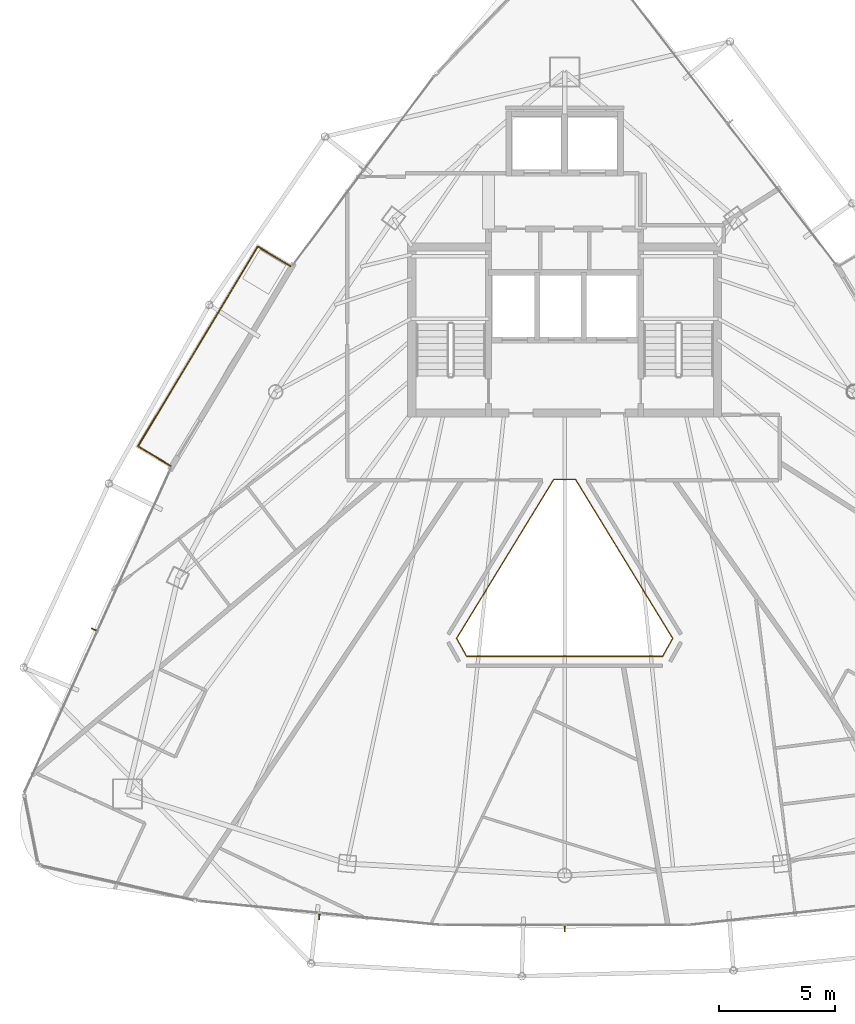
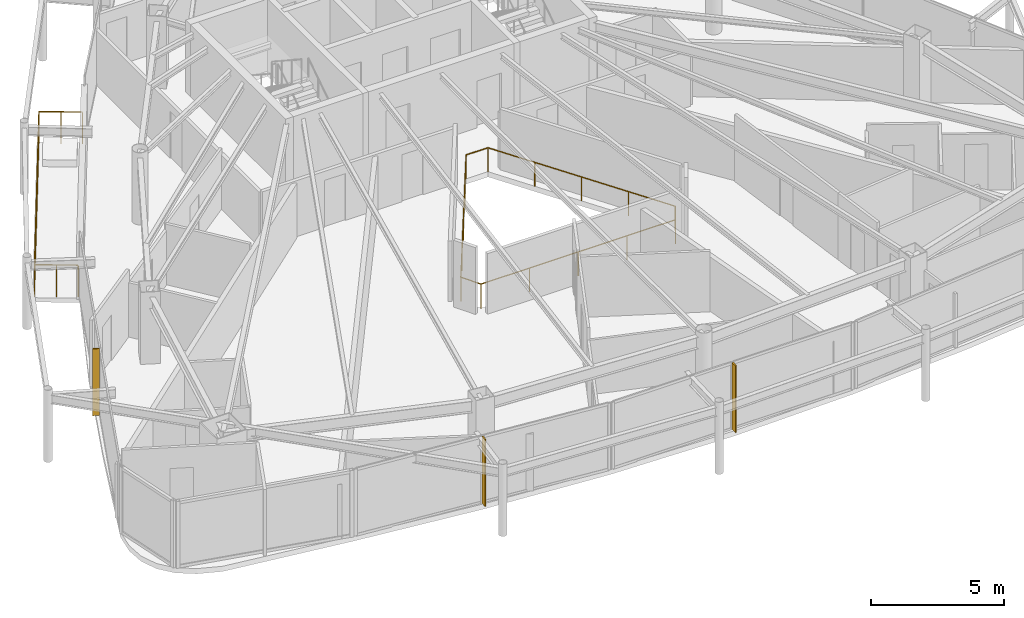
# One storey, part 31 of 33: 3 shading devices, 2 railings.
"""IFC4 building model written with IfcOpenShell, lengths in metres."""

from ifc_helpers import new_model, si_unit, direction, frame, origin, origin_2d, place, context, subcontext, project, spatial, rectangle, circle, extrude, material, layer, layer_set, type_object, element, save


model = new_model("IFC4")

# Units and contexts
model_context = context("Model", 3, precision=1e-05, world=origin(), true_north=direction((0.0, 1.0)))
body_context = subcontext(model_context, "Body", "Model", "MODEL_VIEW")
ifc_project = project(units=[si_unit("LENGTHUNIT", "METRE"), si_unit("AREAUNIT", "SQUARE_METRE"), si_unit("VOLUMEUNIT", "CUBIC_METRE"), si_unit("PLANEANGLEUNIT", "RADIAN"), si_unit("MASSUNIT", "GRAM", prefix="KILO")], contexts=[model_context])

# Site, building, storey
site_placement = place(None, origin())
site = spatial("IfcSite", under=ifc_project, at=site_placement, CompositionType="ELEMENT")
building_placement = place(site_placement, origin())
building = spatial("IfcBuilding", under=site, at=building_placement, Name="Orvanel Arch Residences", CompositionType="ELEMENT")
storey_placement = place(building_placement, frame((0.0, 0.0, 209.60009765625)))
storey = spatial("IfcBuildingStorey", under=building, at=storey_placement, Name="L59", CompositionType="ELEMENT", Elevation=209.60009765625)

# Shading devices
ifc_material = material(Name="Bronze-anodised aluminium AA6063-T6", Category="aluminium")
ifc_layer = layer(ifc_material, 0.050048828125)
ifc_layer_set = layer_set([ifc_layer], Name="Bronze-anodised aluminium AA6063-T6")
shading_device_type = type_object("IfcShadingDeviceType", Name="FIN-BRZ-260", PredefinedType="USERDEFINED", material=ifc_layer_set)
for number, where, z_axis, x_axis, name in (
    (1, (12.764892578125, 17.419921875, -0.000244140625), (0.0, 0.0, 1.0), (-0.911403276635, 0.411514358605, 0.0), "L59 Anodised Bronze Mullion FIN 01"),
    (2, (22.450927734375, 5.074951171875, -0.000244140625), (0.0, 0.0, 1.0), (-0.099319749744, -0.995055569961, 0.0), "L59 Anodised Bronze Mullion FIN 01"),
    (3, (33.0, 4.552978515625, -0.000244140625), (0.0, 0.0, 1.0), (0.0, -1.0, 0.0), "L59 Anodised Bronze Mullion FIN 01"),
):
    element("IfcShadingDevice", number, at=place(storey_placement, frame(where, z_axis=z_axis, x_axis=x_axis)), inside=storey, type_object=shading_device_type, Name=name, ObjectType="FIN", PredefinedType="USERDEFINED", context=body_context, shape_type="SweptSolid", body=[
        extrude(rectangle(XDim=0.260009765625, YDim=0.050048828125, at=origin_2d()), origin(), (0.0, 0.0, 1.0), 3.06005859375),
    ])

# Railings
railing_type_1 = type_object("IfcRailingType", Name="RL-ATR-1120", PredefinedType="BALUSTRADE", material=ifc_material)
railing_1_placement = place(storey_placement, frame((33.470947265625, 23.867919921875, 0.0)))
element("IfcRailing", 4, at=railing_1_placement, inside=storey, type_object=railing_type_1, Name="L59 Atrium Void Protective Balustrade", PredefinedType="BALUSTRADE", context=body_context, shape_type="SweptSolid", body=[
    extrude(circle(Radius=0.02392578125, at=origin_2d()), frame((-0.00146484375, 0.0, 1.09619140625), z_axis=(-1.0, 0.0, 0.0), x_axis=(0.0, -1.0, 0.0)), (0.0, 0.0, 1.0), 0.93896484375),
    extrude(circle(Radius=0.02392578125, at=origin_2d()), frame((-0.942626953125, -0.001220703125, 1.09619140625), z_axis=(-0.521495669835, -0.853253928408, 0.0), x_axis=(0.853253928408, -0.521495669835, 0.0)), (0.0, 0.0, 1.0), 7.999267578125),
    extrude(circle(Radius=0.02392578125, at=origin_2d()), frame((-5.1142578125, -6.8291015625, 1.09619140625), z_axis=(0.488552824191, -0.872534319082, 0.0), x_axis=(0.872534319082, 0.488552824191, 0.0)), (0.0, 0.0, 1.0), 0.87939453125),
    extrude(circle(Radius=0.02392578125, at=origin_2d()), frame((-4.682373046875, -7.597900390625, 1.09619140625), z_axis=(1.0, 0.0, 0.0), x_axis=(0.0, 1.0, 0.0)), (0.0, 0.0, 1.0), 8.4228515625),
    extrude(circle(Radius=0.02392578125, at=origin_2d()), frame((3.74267578125, -7.5966796875, 1.09619140625), z_axis=(0.488552824191, 0.872534319082, 0.0), x_axis=(-0.872534319082, 0.488552824191, 0.0)), (0.0, 0.0, 1.0), 0.87939453125),
    extrude(circle(Radius=0.02392578125, at=origin_2d()), frame((4.17236328125, -6.82666015625, 1.09619140625), z_axis=(-0.521495669835, 0.853253928408, 0.0), x_axis=(-0.853253928408, -0.521495669835, 0.0)), (0.0, 0.0, 1.0), 7.999267578125),
    extrude(circle(Radius=0.02099609375, at=origin_2d()), origin(), (0.0, 0.0, 1.0), 1.070068359375),
    extrude(circle(Radius=0.02099609375, at=origin_2d()), frame((-0.94189453125, 0.0, 0.0)), (0.0, 0.0, 1.0), 1.070068359375),
    extrude(circle(Radius=0.02099609375, at=origin_2d()), frame((-1.985107421875, -1.70703125, 0.0)), (0.0, 0.0, 1.0), 1.070068359375),
    extrude(circle(Radius=0.02099609375, at=origin_2d()), frame((-3.0283203125, -3.4140625, 0.0)), (0.0, 0.0, 1.0), 1.070068359375),
    extrude(circle(Radius=0.02099609375, at=origin_2d()), frame((-4.07177734375, -5.120849609375, 0.0)), (0.0, 0.0, 1.0), 1.070068359375),
    extrude(circle(Radius=0.02099609375, at=origin_2d()), frame((-5.114990234375, -6.827880859375, 0.0)), (0.0, 0.0, 1.0), 1.070068359375),
    extrude(circle(Radius=0.02099609375, at=origin_2d()), frame((-4.683837890625, -7.597900390625, 0.0)), (0.0, 0.0, 1.0), 1.070068359375),
    extrude(circle(Radius=0.02099609375, at=origin_2d()), frame((-2.577392578125, -7.597900390625, 0.0)), (0.0, 0.0, 1.0), 1.070068359375),
    extrude(circle(Radius=0.02099609375, at=origin_2d()), frame((-0.470947265625, -7.597900390625, 0.0)), (0.0, 0.0, 1.0), 1.070068359375),
    extrude(circle(Radius=0.02099609375, at=origin_2d()), frame((1.635498046875, -7.597900390625, 0.0)), (0.0, 0.0, 1.0), 1.070068359375),
    extrude(circle(Radius=0.02099609375, at=origin_2d()), frame((3.741943359375, -7.597900390625, 0.0)), (0.0, 0.0, 1.0), 1.070068359375),
    extrude(circle(Radius=0.02099609375, at=origin_2d()), frame((4.173095703125, -6.827880859375, 0.0)), (0.0, 0.0, 1.0), 1.070068359375),
    extrude(circle(Radius=0.02099609375, at=origin_2d()), frame((3.1298828125, -5.120849609375, 0.0)), (0.0, 0.0, 1.0), 1.070068359375),
    extrude(circle(Radius=0.02099609375, at=origin_2d()), frame((2.08642578125, -3.4140625, 0.0)), (0.0, 0.0, 1.0), 1.070068359375),
    extrude(circle(Radius=0.02099609375, at=origin_2d()), frame((1.043212890625, -1.70703125, 0.0)), (0.0, 0.0, 1.0), 1.070068359375),
])
railing_type_2 = type_object("IfcRailingType", Name="RL-BAL-1480", PredefinedType="BALUSTRADE", material=ifc_material)
railing_2_placement = place(storey_placement, frame((21.2099609375, 33.047119140625, 0.0)))
element("IfcRailing", 5, at=railing_2_placement, inside=storey, type_object=railing_type_2, Name="L59 Balcony Perimeter Guardrail Face 1", PredefinedType="BALUSTRADE", context=body_context, shape_type="SweptSolid", body=[
    extrude(circle(Radius=0.02392578125, at=origin_2d()), frame((-0.001220703125, 0.000732421875, 1.4560546875), z_axis=(-0.857387817543, 0.514670895164, 0.0), x_axis=(-0.514670895164, -0.857387817543, 0.0)), (0.0, 0.0, 1.0), 1.636962890625),
    extrude(circle(Radius=0.02392578125, at=origin_2d()), frame((-1.40673828125, 0.8427734375, 1.4560546875), z_axis=(-0.514467079564, -0.857510130579, 0.0), x_axis=(0.857510130579, -0.514467079564, 0.0)), (0.0, 0.0, 1.0), 10.013427734375),
    extrude(circle(Radius=0.02392578125, at=origin_2d()), frame((-6.557861328125, -7.745849609375, 1.4560546875), z_axis=(0.857584807373, -0.514342588322, 0.0), x_axis=(0.514342588322, 0.857584807373, 0.0)), (0.0, 0.0, 1.0), 1.637939453125),
    extrude(circle(Radius=0.02099609375, at=origin_2d()), origin(), (0.0, 0.0, 1.0), 1.429931640625),
    extrude(circle(Radius=0.02099609375, at=origin_2d()), frame((-0.703125, 0.421875, 0.0)), (0.0, 0.0, 1.0), 1.429931640625),
    extrude(circle(Radius=0.02099609375, at=origin_2d()), frame((-1.406005859375, 0.843994140625, 0.0)), (0.0, 0.0, 1.0), 1.429931640625),
    extrude(circle(Radius=0.02099609375, at=origin_2d()), frame((-1.978515625, -0.1103515625, 0.0)), (0.0, 0.0, 1.0), 1.429931640625),
    extrude(circle(Radius=0.02099609375, at=origin_2d()), frame((-2.551025390625, -1.064697265625, 0.0)), (0.0, 0.0, 1.0), 1.429931640625),
    extrude(circle(Radius=0.02099609375, at=origin_2d()), frame((-3.123779296875, -2.01904296875, 0.0)), (0.0, 0.0, 1.0), 1.429931640625),
    extrude(circle(Radius=0.02099609375, at=origin_2d()), frame((-3.6962890625, -2.973388671875, 0.0)), (0.0, 0.0, 1.0), 1.429931640625),
    extrude(circle(Radius=0.02099609375, at=origin_2d()), frame((-4.268798828125, -3.927734375, 0.0)), (0.0, 0.0, 1.0), 1.429931640625),
    extrude(circle(Radius=0.02099609375, at=origin_2d()), frame((-4.84130859375, -4.882080078125, 0.0)), (0.0, 0.0, 1.0), 1.429931640625),
    extrude(circle(Radius=0.02099609375, at=origin_2d()), frame((-5.4140625, -5.83642578125, 0.0)), (0.0, 0.0, 1.0), 1.429931640625),
    extrude(circle(Radius=0.02099609375, at=origin_2d()), frame((-5.986572265625, -6.790771484375, 0.0)), (0.0, 0.0, 1.0), 1.429931640625),
    extrude(circle(Radius=0.02099609375, at=origin_2d()), frame((-6.55908203125, -7.7451171875, 0.0)), (0.0, 0.0, 1.0), 1.429931640625),
    extrude(circle(Radius=0.02099609375, at=origin_2d()), frame((-5.85546875, -8.1669921875, 0.0)), (0.0, 0.0, 1.0), 1.429931640625),
    extrude(circle(Radius=0.02099609375, at=origin_2d()), frame((-5.15185546875, -8.589111328125, 0.0)), (0.0, 0.0, 1.0), 1.429931640625),
])

save(model, "model.ifc")
